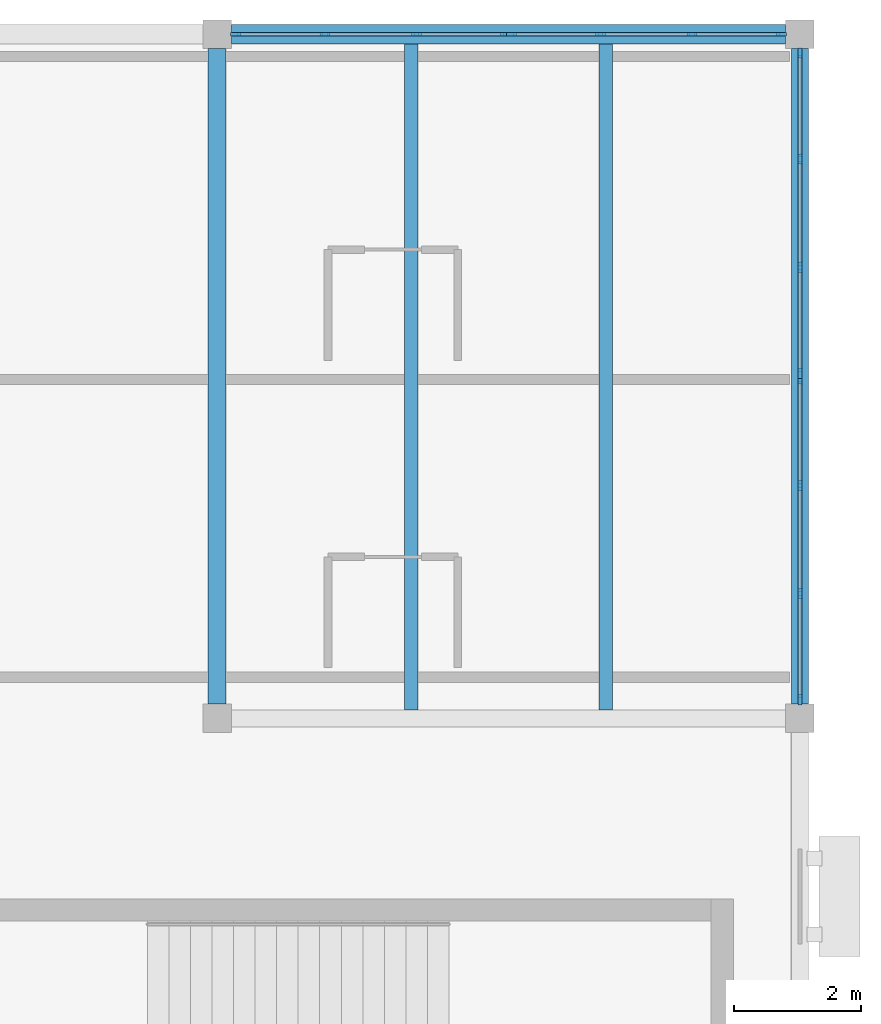
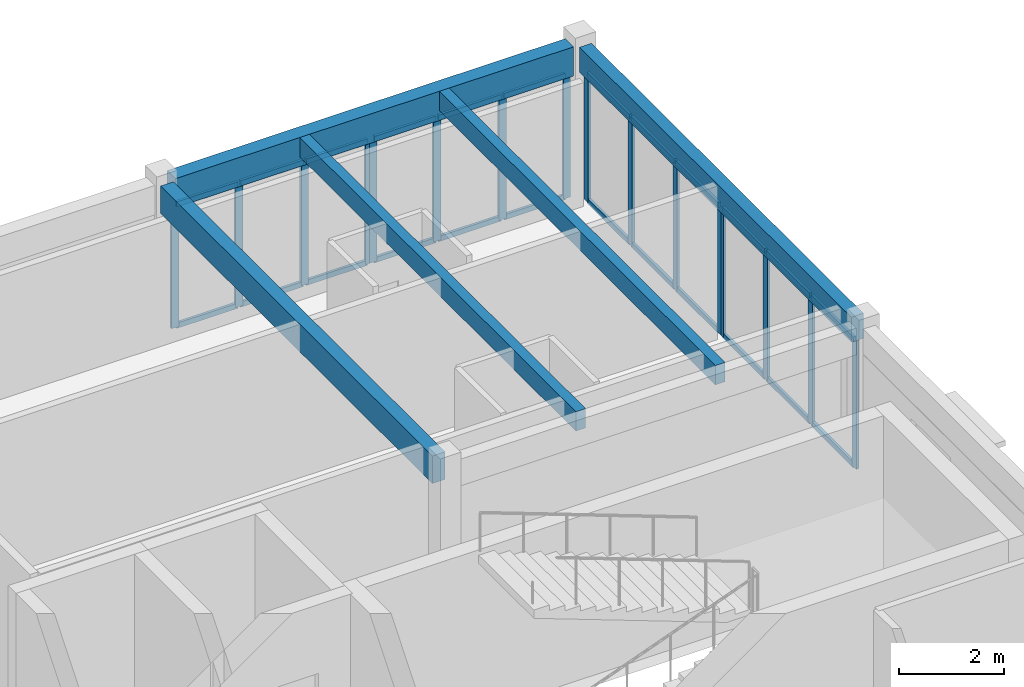
# One storey, part 4 of 17: 40 members, 5 beams, 4 elements without a shape of their own.
"""IFC4 building model written with IfcOpenShell, lengths in metres."""

from ifc_helpers import new_model, si_unit, direction, frame, origin, origin_2d, place, context, subcontext, project, spatial, rectangle, extrude, material, material_profile, profile_set, type_object, element, aggregate, save


model = new_model("IFC4")

# Units and contexts
model_context = context("Model", 3, precision=1e-05, world=origin(), true_north=direction((0.0, 1.0)))
body_context = subcontext(model_context, "Body", "Model", "MODEL_VIEW")
ifc_project = project(units=[si_unit("LENGTHUNIT", "METRE"), si_unit("AREAUNIT", "SQUARE_METRE"), si_unit("VOLUMEUNIT", "CUBIC_METRE"), si_unit("PLANEANGLEUNIT", "RADIAN"), si_unit("MASSUNIT", "GRAM", prefix="KILO")], contexts=[model_context])

# Site, building, storey
site_placement = place(None, origin())
site = spatial("IfcSite", under=ifc_project, at=site_placement, CompositionType="ELEMENT")
building_placement = place(site_placement, origin())
building = spatial("IfcBuilding", under=site, at=building_placement, Name="Veldera Park Congress Hotel", CompositionType="ELEMENT")
storey_placement = place(building_placement, frame((0.0, 0.0, 35.199951171875)))
storey = spatial("IfcBuildingStorey", under=building, at=storey_placement, Name="L08", CompositionType="ELEMENT", Elevation=35.199951171875)

# Beams
ifc_material_1 = material(Name="Glulam GL28h (NDS 24F-V4)", Category="wood")
ifc_material_profile_1 = material_profile(ifc_material_1, rectangle(XDim=0.264892578125, YDim=0.580078125, at=origin_2d()), Name="GL28h 265x580")
ifc_profile_set_1 = profile_set([ifc_material_profile_1], Name="Glulam GL28h (NDS 24F-V4)")
beam_type_1 = type_object("IfcBeamType", Name="BM-GL540E", PredefinedType="BEAM", material=ifc_profile_set_1)
beam_1_placement = place(storey_placement, frame((84.0, 47.425048828125, 3.275146484375), z_axis=(0.0, 1.0, 0.0), x_axis=(-1.0, 0.0, 0.0)))
element("IfcBeam", 1, at=beam_1_placement, inside=storey, type_object=beam_type_1, Name="L08 Girder BM-GL540E 1797", PredefinedType="BEAM", context=body_context, shape_type="SweptSolid", body=[
    extrude(rectangle(XDim=0.264892578125, YDim=0.580078125, at=origin_2d()), origin(), (0.0, 0.0, 1.0), 10.349853515625),
])
ifc_material_profile_2 = material_profile(ifc_material_1, rectangle(XDim=0.280029296875, YDim=0.639892578125, at=origin_2d()), Name="GL28h 280x640")
ifc_profile_set_2 = profile_set([ifc_material_profile_2], Name="Glulam GL28h (NDS 24F-V4)")
beam_type_2 = type_object("IfcBeamType", Name="BM-GL640", PredefinedType="BEAM", material=ifc_profile_set_2)
beam_2_placement = place(storey_placement, frame((74.800048828125, 47.425048828125, 3.2451171875), z_axis=(0.0, 1.0, 0.0), x_axis=(-1.0, 0.0, 0.0)))
element("IfcBeam", 2, at=beam_2_placement, inside=storey, type_object=beam_type_2, Name="L08 Girder BM-GL640 1787", PredefinedType="BEAM", context=body_context, shape_type="SweptSolid", body=[
    extrude(rectangle(XDim=0.280029296875, YDim=0.639892578125, at=origin_2d()), origin(), (0.0, 0.0, 1.0), 10.349853515625),
])
ifc_material_profile_3 = material_profile(ifc_material_1, rectangle(XDim=0.31494140625, YDim=0.679931640625, at=origin_2d()), Name="GL28h 315x680")
ifc_profile_set_3 = profile_set([ifc_material_profile_3], Name="Glulam GL28h (NDS 24F-V4)")
beam_type_3 = type_object("IfcBeamType", Name="BM-GL640E", PredefinedType="BEAM", material=ifc_profile_set_3)
beam_3_placement = place(storey_placement, frame((75.02490234375, 58.0, 3.22509765625), z_axis=(1.0, 0.0, 0.0), x_axis=(0.0, 1.0, 0.0)))
element("IfcBeam", 3, at=beam_3_placement, inside=storey, type_object=beam_type_3, Name="L08 Girder BM-GL640E 1764", PredefinedType="BEAM", context=body_context, shape_type="SweptSolid", body=[
    extrude(rectangle(XDim=0.31494140625, YDim=0.679931640625, at=origin_2d()), origin(), (0.0, 0.0, 1.0), 8.75),
])

# Curtain wall, members
ifc_material_2 = material(Name="Low-E Triple Insulating Glass Unit (SHGC 0.22)", Category="glass")
curtain_wall_type = type_object("IfcCurtainWallType", Name="CW-HTL", PredefinedType="NOTDEFINED", material=ifc_material_2)
curtain_wall_1_placement = place(storey_placement, origin())
curtain_wall_1 = element("IfcCurtainWall", 4, at=curtain_wall_1_placement, inside=storey, type_object=curtain_wall_type, Name="L08 Curtain Wall CW3-HTLNE-L08-116", PredefinedType="NOTDEFINED")
ifc_material_3 = material(Name="Anodised Aluminium Alloy 6063-T6", Category="aluminium")
ifc_material_profile_4 = material_profile(ifc_material_3, rectangle(XDim=0.06005859375, YDim=0.159912109375, at=origin_2d()), Name="ALU 60x160")
ifc_profile_set_4 = profile_set([ifc_material_profile_4], Name="Anodised Aluminium Alloy 6063-T6")
member_type_1 = type_object("IfcMemberType", Name="CWM-160", PredefinedType="MULLION", material=ifc_profile_set_4)
member_1_placement = place(storey_placement, frame((84.0, 47.4951171875, 0.0), z_axis=(0.0, 0.0, 1.0), x_axis=(-1.0, 0.0, 0.0)))
member_1 = element("IfcMember", 5, at=member_1_placement, type_object=member_type_1, Name="CW-HTL mullion 1", PredefinedType="MULLION", context=body_context, shape_type="SweptSolid", body=[
    extrude(rectangle(XDim=0.06005859375, YDim=0.159912109375, at=origin_2d()), origin(), (0.0, 0.0, 1.0), 2.97998046875),
])
member_2_placement = place(storey_placement, frame((84.0, 49.171630859375, 0.0), z_axis=(0.0, 0.0, 1.0), x_axis=(-1.0, 0.0, 0.0)))
member_2 = element("IfcMember", 6, at=member_2_placement, type_object=member_type_1, Name="CW-HTL mullion 2", PredefinedType="MULLION", context=body_context, shape_type="SweptSolid", body=[
    extrude(rectangle(XDim=0.06005859375, YDim=0.159912109375, at=origin_2d()), origin(), (0.0, 0.0, 1.0), 2.97998046875),
])
member_3_placement = place(storey_placement, frame((84.0, 50.87841796875, 0.0), z_axis=(0.0, 0.0, 1.0), x_axis=(-1.0, 0.0, 0.0)))
member_3 = element("IfcMember", 7, at=member_3_placement, type_object=member_type_1, Name="CW-HTL mullion 3", PredefinedType="MULLION", context=body_context, shape_type="SweptSolid", body=[
    extrude(rectangle(XDim=0.06005859375, YDim=0.159912109375, at=origin_2d()), origin(), (0.0, 0.0, 1.0), 2.97998046875),
])
member_4_placement = place(storey_placement, frame((84.0, 52.554931640625, 0.0), z_axis=(0.0, 0.0, 1.0), x_axis=(-1.0, 0.0, 0.0)))
member_4 = element("IfcMember", 8, at=member_4_placement, type_object=member_type_1, Name="CW-HTL mullion 4", PredefinedType="MULLION", context=body_context, shape_type="SweptSolid", body=[
    extrude(rectangle(XDim=0.06005859375, YDim=0.159912109375, at=origin_2d()), origin(), (0.0, 0.0, 1.0), 2.97998046875),
])

curtain_wall_2_placement = place(storey_placement, origin())
curtain_wall_2 = element("IfcCurtainWall", 9, at=curtain_wall_2_placement, inside=storey, type_object=curtain_wall_type, Name="L08 Curtain Wall CW3-HTLNE-L08-117", PredefinedType="NOTDEFINED")
member_5_placement = place(storey_placement, frame((84.0, 52.64501953125, 0.0), z_axis=(0.0, 0.0, 1.0), x_axis=(-1.0, 0.0, 0.0)))
member_5 = element("IfcMember", 10, at=member_5_placement, type_object=member_type_1, Name="CW-HTL mullion 1", PredefinedType="MULLION", context=body_context, shape_type="SweptSolid", body=[
    extrude(rectangle(XDim=0.06005859375, YDim=0.159912109375, at=origin_2d()), origin(), (0.0, 0.0, 1.0), 2.97998046875),
])
member_6_placement = place(storey_placement, frame((84.0, 54.32177734375, 0.0), z_axis=(0.0, 0.0, 1.0), x_axis=(-1.0, 0.0, 0.0)))
member_6 = element("IfcMember", 11, at=member_6_placement, type_object=member_type_1, Name="CW-HTL mullion 2", PredefinedType="MULLION", context=body_context, shape_type="SweptSolid", body=[
    extrude(rectangle(XDim=0.06005859375, YDim=0.159912109375, at=origin_2d()), origin(), (0.0, 0.0, 1.0), 2.97998046875),
])
member_7_placement = place(storey_placement, frame((84.0, 56.0283203125, 0.0), z_axis=(0.0, 0.0, 1.0), x_axis=(-1.0, 0.0, 0.0)))
member_7 = element("IfcMember", 12, at=member_7_placement, type_object=member_type_1, Name="CW-HTL mullion 3", PredefinedType="MULLION", context=body_context, shape_type="SweptSolid", body=[
    extrude(rectangle(XDim=0.06005859375, YDim=0.159912109375, at=origin_2d()), origin(), (0.0, 0.0, 1.0), 2.97998046875),
])
member_8_placement = place(storey_placement, frame((84.0, 57.705078125, 0.0), z_axis=(0.0, 0.0, 1.0), x_axis=(-1.0, 0.0, 0.0)))
member_8 = element("IfcMember", 13, at=member_8_placement, type_object=member_type_1, Name="CW-HTL mullion 4", PredefinedType="MULLION", context=body_context, shape_type="SweptSolid", body=[
    extrude(rectangle(XDim=0.06005859375, YDim=0.159912109375, at=origin_2d()), origin(), (0.0, 0.0, 1.0), 2.97998046875),
])

curtain_wall_3_placement = place(storey_placement, origin())
curtain_wall_3 = element("IfcCurtainWall", 14, at=curtain_wall_3_placement, inside=storey, type_object=curtain_wall_type, Name="L08 Curtain Wall CW3-HTLNN-L08-118", PredefinedType="NOTDEFINED")
member_9_placement = place(storey_placement, frame((83.705078125, 58.0, 0.0), z_axis=(0.0, 0.0, 1.0), x_axis=(0.0, -1.0, 0.0)))
member_9 = element("IfcMember", 15, at=member_9_placement, type_object=member_type_1, Name="CW-HTL mullion 1", PredefinedType="MULLION", context=body_context, shape_type="SweptSolid", body=[
    extrude(rectangle(XDim=0.06005859375, YDim=0.159912109375, at=origin_2d()), origin(), (0.0, 0.0, 1.0), 2.880126953125),
])
member_10_placement = place(storey_placement, frame((82.294921875, 58.0, 0.0), z_axis=(0.0, 0.0, 1.0), x_axis=(0.0, -1.0, 0.0)))
member_10 = element("IfcMember", 16, at=member_10_placement, type_object=member_type_1, Name="CW-HTL mullion 2", PredefinedType="MULLION", context=body_context, shape_type="SweptSolid", body=[
    extrude(rectangle(XDim=0.06005859375, YDim=0.159912109375, at=origin_2d()), origin(), (0.0, 0.0, 1.0), 2.880126953125),
])
member_11_placement = place(storey_placement, frame((80.85498046875, 58.0, 0.0), z_axis=(0.0, 0.0, 1.0), x_axis=(0.0, -1.0, 0.0)))
member_11 = element("IfcMember", 17, at=member_11_placement, type_object=member_type_1, Name="CW-HTL mullion 3", PredefinedType="MULLION", context=body_context, shape_type="SweptSolid", body=[
    extrude(rectangle(XDim=0.06005859375, YDim=0.159912109375, at=origin_2d()), origin(), (0.0, 0.0, 1.0), 2.880126953125),
])
member_12_placement = place(storey_placement, frame((79.445068359375, 58.0, 0.0), z_axis=(0.0, 0.0, 1.0), x_axis=(0.0, -1.0, 0.0)))
member_12 = element("IfcMember", 18, at=member_12_placement, type_object=member_type_1, Name="CW-HTL mullion 4", PredefinedType="MULLION", context=body_context, shape_type="SweptSolid", body=[
    extrude(rectangle(XDim=0.06005859375, YDim=0.159912109375, at=origin_2d()), origin(), (0.0, 0.0, 1.0), 2.880126953125),
])

curtain_wall_4_placement = place(storey_placement, origin())
curtain_wall_4 = element("IfcCurtainWall", 19, at=curtain_wall_4_placement, inside=storey, type_object=curtain_wall_type, Name="L08 Curtain Wall CW3-HTLNN-L08-119", PredefinedType="NOTDEFINED")
member_13_placement = place(storey_placement, frame((79.35498046875, 58.0, 0.0), z_axis=(0.0, 0.0, 1.0), x_axis=(0.0, -1.0, 0.0)))
member_13 = element("IfcMember", 20, at=member_13_placement, type_object=member_type_1, Name="CW-HTL mullion 1", PredefinedType="MULLION", context=body_context, shape_type="SweptSolid", body=[
    extrude(rectangle(XDim=0.06005859375, YDim=0.159912109375, at=origin_2d()), origin(), (0.0, 0.0, 1.0), 2.880126953125),
])
member_14_placement = place(storey_placement, frame((77.945068359375, 58.0, 0.0), z_axis=(0.0, 0.0, 1.0), x_axis=(0.0, -1.0, 0.0)))
member_14 = element("IfcMember", 21, at=member_14_placement, type_object=member_type_1, Name="CW-HTL mullion 2", PredefinedType="MULLION", context=body_context, shape_type="SweptSolid", body=[
    extrude(rectangle(XDim=0.06005859375, YDim=0.159912109375, at=origin_2d()), origin(), (0.0, 0.0, 1.0), 2.880126953125),
])
member_15_placement = place(storey_placement, frame((76.5048828125, 58.0, 0.0), z_axis=(0.0, 0.0, 1.0), x_axis=(0.0, -1.0, 0.0)))
member_15 = element("IfcMember", 22, at=member_15_placement, type_object=member_type_1, Name="CW-HTL mullion 3", PredefinedType="MULLION", context=body_context, shape_type="SweptSolid", body=[
    extrude(rectangle(XDim=0.06005859375, YDim=0.159912109375, at=origin_2d()), origin(), (0.0, 0.0, 1.0), 2.880126953125),
])
member_16_placement = place(storey_placement, frame((75.094970703125, 58.0, 0.0), z_axis=(0.0, 0.0, 1.0), x_axis=(0.0, -1.0, 0.0)))
member_16 = element("IfcMember", 23, at=member_16_placement, type_object=member_type_1, Name="CW-HTL mullion 4", PredefinedType="MULLION", context=body_context, shape_type="SweptSolid", body=[
    extrude(rectangle(XDim=0.06005859375, YDim=0.159912109375, at=origin_2d()), origin(), (0.0, 0.0, 1.0), 2.880126953125),
])

# Member
ifc_material_profile_5 = material_profile(ifc_material_3, rectangle(XDim=0.06005859375, YDim=0.1201171875, at=origin_2d()), Name="ALU 60x120")
ifc_profile_set_5 = profile_set([ifc_material_profile_5], Name="Anodised Aluminium Alloy 6063-T6")
member_type_2 = type_object("IfcMemberType", Name="CWT-120", PredefinedType="USERDEFINED", material=ifc_profile_set_5)
member_17_placement = place(storey_placement, frame((84.0, 47.52490234375, 0.030029296875), z_axis=(0.0, 1.0, 0.0), x_axis=(-1.0, 0.0, 0.0)))
member_17 = element("IfcMember", 24, at=member_17_placement, type_object=member_type_2, Name="CW-HTL transom 1.1", ObjectType="TRANSOM", PredefinedType="USERDEFINED", context=body_context, shape_type="SweptSolid", body=[
    extrude(rectangle(XDim=0.06005859375, YDim=0.1201171875, at=origin_2d()), origin(), (0.0, 0.0, 1.0), 1.61669921875),
])

member_18_placement = place(storey_placement, frame((84.0, 47.52490234375, 2.949951171875), z_axis=(0.0, 1.0, 0.0), x_axis=(-1.0, 0.0, 0.0)))
member_18 = element("IfcMember", 25, at=member_18_placement, type_object=member_type_2, Name="CW-HTL transom 1.2", ObjectType="TRANSOM", PredefinedType="USERDEFINED", context=body_context, shape_type="SweptSolid", body=[
    extrude(rectangle(XDim=0.06005859375, YDim=0.1201171875, at=origin_2d()), origin(), (0.0, 0.0, 1.0), 1.61669921875),
])

member_19_placement = place(storey_placement, frame((84.0, 49.20166015625, 0.030029296875), z_axis=(0.0, 1.0, 0.0), x_axis=(-1.0, 0.0, 0.0)))
member_19 = element("IfcMember", 26, at=member_19_placement, type_object=member_type_2, Name="CW-HTL transom 2.1", ObjectType="TRANSOM", PredefinedType="USERDEFINED", context=body_context, shape_type="SweptSolid", body=[
    extrude(rectangle(XDim=0.06005859375, YDim=0.1201171875, at=origin_2d()), origin(), (0.0, 0.0, 1.0), 1.646728515625),
])

member_20_placement = place(storey_placement, frame((84.0, 49.20166015625, 2.949951171875), z_axis=(0.0, 1.0, 0.0), x_axis=(-1.0, 0.0, 0.0)))
member_20 = element("IfcMember", 27, at=member_20_placement, type_object=member_type_2, Name="CW-HTL transom 2.2", ObjectType="TRANSOM", PredefinedType="USERDEFINED", context=body_context, shape_type="SweptSolid", body=[
    extrude(rectangle(XDim=0.06005859375, YDim=0.1201171875, at=origin_2d()), origin(), (0.0, 0.0, 1.0), 1.646728515625),
])

member_21_placement = place(storey_placement, frame((84.0, 50.908447265625, 0.030029296875), z_axis=(0.0, 1.0, 0.0), x_axis=(-1.0, 0.0, 0.0)))
member_21 = element("IfcMember", 28, at=member_21_placement, type_object=member_type_2, Name="CW-HTL transom 3.1", ObjectType="TRANSOM", PredefinedType="USERDEFINED", context=body_context, shape_type="SweptSolid", body=[
    extrude(rectangle(XDim=0.06005859375, YDim=0.1201171875, at=origin_2d()), origin(), (0.0, 0.0, 1.0), 1.616455078125),
])

member_22_placement = place(storey_placement, frame((84.0, 50.908447265625, 2.949951171875), z_axis=(0.0, 1.0, 0.0), x_axis=(-1.0, 0.0, 0.0)))
member_22 = element("IfcMember", 29, at=member_22_placement, type_object=member_type_2, Name="CW-HTL transom 3.2", ObjectType="TRANSOM", PredefinedType="USERDEFINED", context=body_context, shape_type="SweptSolid", body=[
    extrude(rectangle(XDim=0.06005859375, YDim=0.1201171875, at=origin_2d()), origin(), (0.0, 0.0, 1.0), 1.616455078125),
])

aggregate(curtain_wall_1, [member_1, member_2, member_3, member_4, member_17, member_18, member_19, member_20, member_21, member_22])

member_23_placement = place(storey_placement, frame((84.0, 52.675048828125, 0.030029296875), z_axis=(0.0, 1.0, 0.0), x_axis=(-1.0, 0.0, 0.0)))
member_23 = element("IfcMember", 30, at=member_23_placement, type_object=member_type_2, Name="CW-HTL transom 1.1", ObjectType="TRANSOM", PredefinedType="USERDEFINED", context=body_context, shape_type="SweptSolid", body=[
    extrude(rectangle(XDim=0.06005859375, YDim=0.1201171875, at=origin_2d()), origin(), (0.0, 0.0, 1.0), 1.61669921875),
])

member_24_placement = place(storey_placement, frame((84.0, 52.675048828125, 2.949951171875), z_axis=(0.0, 1.0, 0.0), x_axis=(-1.0, 0.0, 0.0)))
member_24 = element("IfcMember", 31, at=member_24_placement, type_object=member_type_2, Name="CW-HTL transom 1.2", ObjectType="TRANSOM", PredefinedType="USERDEFINED", context=body_context, shape_type="SweptSolid", body=[
    extrude(rectangle(XDim=0.06005859375, YDim=0.1201171875, at=origin_2d()), origin(), (0.0, 0.0, 1.0), 1.61669921875),
])

member_25_placement = place(storey_placement, frame((84.0, 54.3515625, 0.030029296875), z_axis=(0.0, 1.0, 0.0), x_axis=(-1.0, 0.0, 0.0)))
member_25 = element("IfcMember", 32, at=member_25_placement, type_object=member_type_2, Name="CW-HTL transom 2.1", ObjectType="TRANSOM", PredefinedType="USERDEFINED", context=body_context, shape_type="SweptSolid", body=[
    extrude(rectangle(XDim=0.06005859375, YDim=0.1201171875, at=origin_2d()), origin(), (0.0, 0.0, 1.0), 1.646728515625),
])

member_26_placement = place(storey_placement, frame((84.0, 54.3515625, 2.949951171875), z_axis=(0.0, 1.0, 0.0), x_axis=(-1.0, 0.0, 0.0)))
member_26 = element("IfcMember", 33, at=member_26_placement, type_object=member_type_2, Name="CW-HTL transom 2.2", ObjectType="TRANSOM", PredefinedType="USERDEFINED", context=body_context, shape_type="SweptSolid", body=[
    extrude(rectangle(XDim=0.06005859375, YDim=0.1201171875, at=origin_2d()), origin(), (0.0, 0.0, 1.0), 1.646728515625),
])

member_27_placement = place(storey_placement, frame((84.0, 56.058349609375, 0.030029296875), z_axis=(0.0, 1.0, 0.0), x_axis=(-1.0, 0.0, 0.0)))
member_27 = element("IfcMember", 34, at=member_27_placement, type_object=member_type_2, Name="CW-HTL transom 3.1", ObjectType="TRANSOM", PredefinedType="USERDEFINED", context=body_context, shape_type="SweptSolid", body=[
    extrude(rectangle(XDim=0.06005859375, YDim=0.1201171875, at=origin_2d()), origin(), (0.0, 0.0, 1.0), 1.61669921875),
])

member_28_placement = place(storey_placement, frame((84.0, 56.058349609375, 2.949951171875), z_axis=(0.0, 1.0, 0.0), x_axis=(-1.0, 0.0, 0.0)))
member_28 = element("IfcMember", 35, at=member_28_placement, type_object=member_type_2, Name="CW-HTL transom 3.2", ObjectType="TRANSOM", PredefinedType="USERDEFINED", context=body_context, shape_type="SweptSolid", body=[
    extrude(rectangle(XDim=0.06005859375, YDim=0.1201171875, at=origin_2d()), origin(), (0.0, 0.0, 1.0), 1.61669921875),
])

aggregate(curtain_wall_2, [member_5, member_6, member_7, member_8, member_23, member_24, member_25, member_26, member_27, member_28])

member_29_placement = place(storey_placement, frame((83.675048828125, 58.0, 0.030029296875), z_axis=(-1.0, 0.0, 0.0), x_axis=(0.0, -1.0, 0.0)))
member_29 = element("IfcMember", 36, at=member_29_placement, type_object=member_type_2, Name="CW-HTL transom 1.1", ObjectType="TRANSOM", PredefinedType="USERDEFINED", context=body_context, shape_type="SweptSolid", body=[
    extrude(rectangle(XDim=0.06005859375, YDim=0.1201171875, at=origin_2d()), origin(), (0.0, 0.0, 1.0), 1.35009765625),
])

member_30_placement = place(storey_placement, frame((83.675048828125, 58.0, 2.85009765625), z_axis=(-1.0, 0.0, 0.0), x_axis=(0.0, -1.0, 0.0)))
member_30 = element("IfcMember", 37, at=member_30_placement, type_object=member_type_2, Name="CW-HTL transom 1.2", ObjectType="TRANSOM", PredefinedType="USERDEFINED", context=body_context, shape_type="SweptSolid", body=[
    extrude(rectangle(XDim=0.06005859375, YDim=0.1201171875, at=origin_2d()), origin(), (0.0, 0.0, 1.0), 1.35009765625),
])

member_31_placement = place(storey_placement, frame((82.264892578125, 58.0, 0.030029296875), z_axis=(-1.0, 0.0, 0.0), x_axis=(0.0, -1.0, 0.0)))
member_31 = element("IfcMember", 38, at=member_31_placement, type_object=member_type_2, Name="CW-HTL transom 2.1", ObjectType="TRANSOM", PredefinedType="USERDEFINED", context=body_context, shape_type="SweptSolid", body=[
    extrude(rectangle(XDim=0.06005859375, YDim=0.1201171875, at=origin_2d()), origin(), (0.0, 0.0, 1.0), 1.3798828125),
])

member_32_placement = place(storey_placement, frame((82.264892578125, 58.0, 2.85009765625), z_axis=(-1.0, 0.0, 0.0), x_axis=(0.0, -1.0, 0.0)))
member_32 = element("IfcMember", 39, at=member_32_placement, type_object=member_type_2, Name="CW-HTL transom 2.2", ObjectType="TRANSOM", PredefinedType="USERDEFINED", context=body_context, shape_type="SweptSolid", body=[
    extrude(rectangle(XDim=0.06005859375, YDim=0.1201171875, at=origin_2d()), origin(), (0.0, 0.0, 1.0), 1.3798828125),
])

member_33_placement = place(storey_placement, frame((80.824951171875, 58.0, 0.030029296875), z_axis=(-1.0, 0.0, 0.0), x_axis=(0.0, -1.0, 0.0)))
member_33 = element("IfcMember", 40, at=member_33_placement, type_object=member_type_2, Name="CW-HTL transom 3.1", ObjectType="TRANSOM", PredefinedType="USERDEFINED", context=body_context, shape_type="SweptSolid", body=[
    extrude(rectangle(XDim=0.06005859375, YDim=0.1201171875, at=origin_2d()), origin(), (0.0, 0.0, 1.0), 1.349853515625),
])

member_34_placement = place(storey_placement, frame((80.824951171875, 58.0, 2.85009765625), z_axis=(-1.0, 0.0, 0.0), x_axis=(0.0, -1.0, 0.0)))
member_34 = element("IfcMember", 41, at=member_34_placement, type_object=member_type_2, Name="CW-HTL transom 3.2", ObjectType="TRANSOM", PredefinedType="USERDEFINED", context=body_context, shape_type="SweptSolid", body=[
    extrude(rectangle(XDim=0.06005859375, YDim=0.1201171875, at=origin_2d()), origin(), (0.0, 0.0, 1.0), 1.349853515625),
])

aggregate(curtain_wall_3, [member_9, member_10, member_11, member_12, member_29, member_30, member_31, member_32, member_33, member_34])

member_35_placement = place(storey_placement, frame((79.324951171875, 58.0, 0.030029296875), z_axis=(-1.0, 0.0, 0.0), x_axis=(0.0, -1.0, 0.0)))
member_35 = element("IfcMember", 42, at=member_35_placement, type_object=member_type_2, Name="CW-HTL transom 1.1", ObjectType="TRANSOM", PredefinedType="USERDEFINED", context=body_context, shape_type="SweptSolid", body=[
    extrude(rectangle(XDim=0.06005859375, YDim=0.1201171875, at=origin_2d()), origin(), (0.0, 0.0, 1.0), 1.349853515625),
])

member_36_placement = place(storey_placement, frame((79.324951171875, 58.0, 2.85009765625), z_axis=(-1.0, 0.0, 0.0), x_axis=(0.0, -1.0, 0.0)))
member_36 = element("IfcMember", 43, at=member_36_placement, type_object=member_type_2, Name="CW-HTL transom 1.2", ObjectType="TRANSOM", PredefinedType="USERDEFINED", context=body_context, shape_type="SweptSolid", body=[
    extrude(rectangle(XDim=0.06005859375, YDim=0.1201171875, at=origin_2d()), origin(), (0.0, 0.0, 1.0), 1.349853515625),
])

member_37_placement = place(storey_placement, frame((77.9150390625, 58.0, 0.030029296875), z_axis=(-1.0, 0.0, 0.0), x_axis=(0.0, -1.0, 0.0)))
member_37 = element("IfcMember", 44, at=member_37_placement, type_object=member_type_2, Name="CW-HTL transom 2.1", ObjectType="TRANSOM", PredefinedType="USERDEFINED", context=body_context, shape_type="SweptSolid", body=[
    extrude(rectangle(XDim=0.06005859375, YDim=0.1201171875, at=origin_2d()), origin(), (0.0, 0.0, 1.0), 1.380126953125),
])

member_38_placement = place(storey_placement, frame((77.9150390625, 58.0, 2.85009765625), z_axis=(-1.0, 0.0, 0.0), x_axis=(0.0, -1.0, 0.0)))
member_38 = element("IfcMember", 45, at=member_38_placement, type_object=member_type_2, Name="CW-HTL transom 2.2", ObjectType="TRANSOM", PredefinedType="USERDEFINED", context=body_context, shape_type="SweptSolid", body=[
    extrude(rectangle(XDim=0.06005859375, YDim=0.1201171875, at=origin_2d()), origin(), (0.0, 0.0, 1.0), 1.380126953125),
])

member_39_placement = place(storey_placement, frame((76.47509765625, 58.0, 0.030029296875), z_axis=(-1.0, 0.0, 0.0), x_axis=(0.0, -1.0, 0.0)))
member_39 = element("IfcMember", 46, at=member_39_placement, type_object=member_type_2, Name="CW-HTL transom 3.1", ObjectType="TRANSOM", PredefinedType="USERDEFINED", context=body_context, shape_type="SweptSolid", body=[
    extrude(rectangle(XDim=0.06005859375, YDim=0.1201171875, at=origin_2d()), origin(), (0.0, 0.0, 1.0), 1.35009765625),
])

member_40_placement = place(storey_placement, frame((76.47509765625, 58.0, 2.85009765625), z_axis=(-1.0, 0.0, 0.0), x_axis=(0.0, -1.0, 0.0)))
member_40 = element("IfcMember", 47, at=member_40_placement, type_object=member_type_2, Name="CW-HTL transom 3.2", ObjectType="TRANSOM", PredefinedType="USERDEFINED", context=body_context, shape_type="SweptSolid", body=[
    extrude(rectangle(XDim=0.06005859375, YDim=0.1201171875, at=origin_2d()), origin(), (0.0, 0.0, 1.0), 1.35009765625),
])

aggregate(curtain_wall_4, [member_13, member_14, member_15, member_16, member_35, member_36, member_37, member_38, member_39, member_40])

# Beams
ifc_material_profile_6 = material_profile(ifc_material_1, rectangle(XDim=0.215087890625, YDim=0.449951171875, at=origin_2d()), Name="GL28h 215x450")
ifc_profile_set_6 = profile_set([ifc_material_profile_6], Name="Glulam GL28h (NDS 24F-V4)")
beam_type_4 = type_object("IfcBeamType", Name="JST-GL450", PredefinedType="JOIST", material=ifc_profile_set_6)
for number, where, z_axis, x_axis, name in (
    (48, (77.86669921875, 47.33251953125, 3.340087890625), (0.0, 1.0, 0.0), (-1.0, 0.0, 0.0), "L08 Floor Joist JST-GL450 1827"),
    (49, (80.933349609375, 47.33251953125, 3.340087890625), (0.0, 1.0, 0.0), (-1.0, 0.0, 0.0), "L08 Floor Joist JST-GL450 1828"),
):
    element("IfcBeam", number, at=place(storey_placement, frame(where, z_axis=z_axis, x_axis=x_axis)), inside=storey, type_object=beam_type_4, Name=name, PredefinedType="JOIST", context=body_context, shape_type="SweptSolid", body=[
        extrude(rectangle(XDim=0.215087890625, YDim=0.449951171875, at=origin_2d()), origin(), (0.0, 0.0, 1.0), 10.510009765625),
    ])

save(model, "model.ifc")
